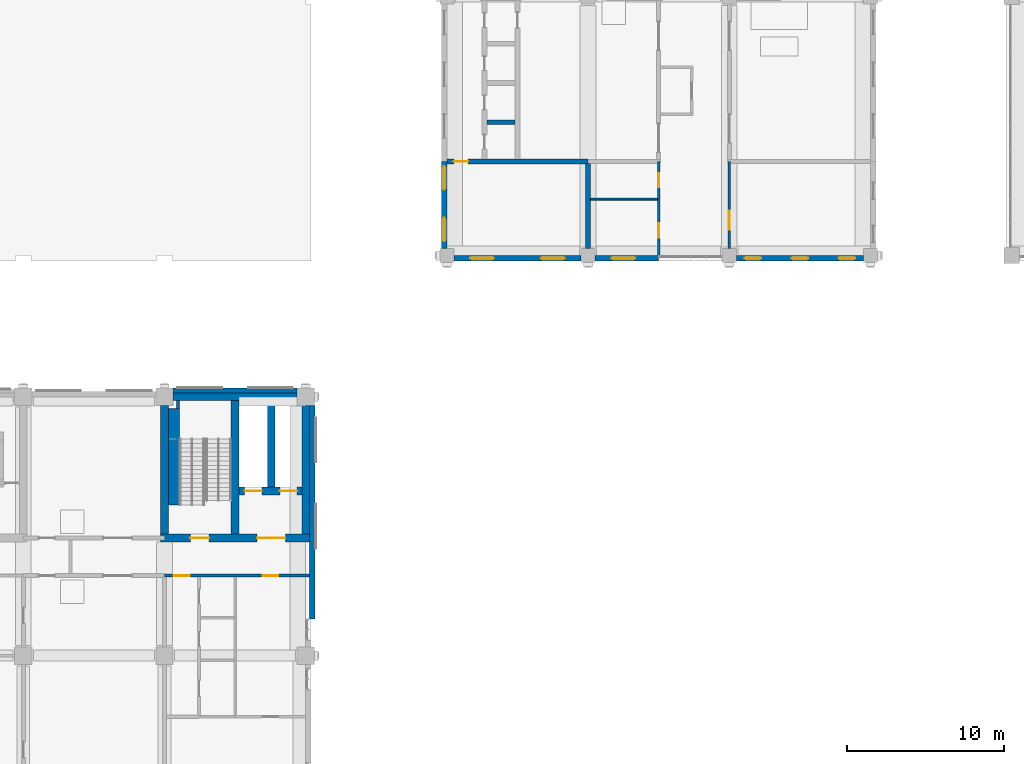
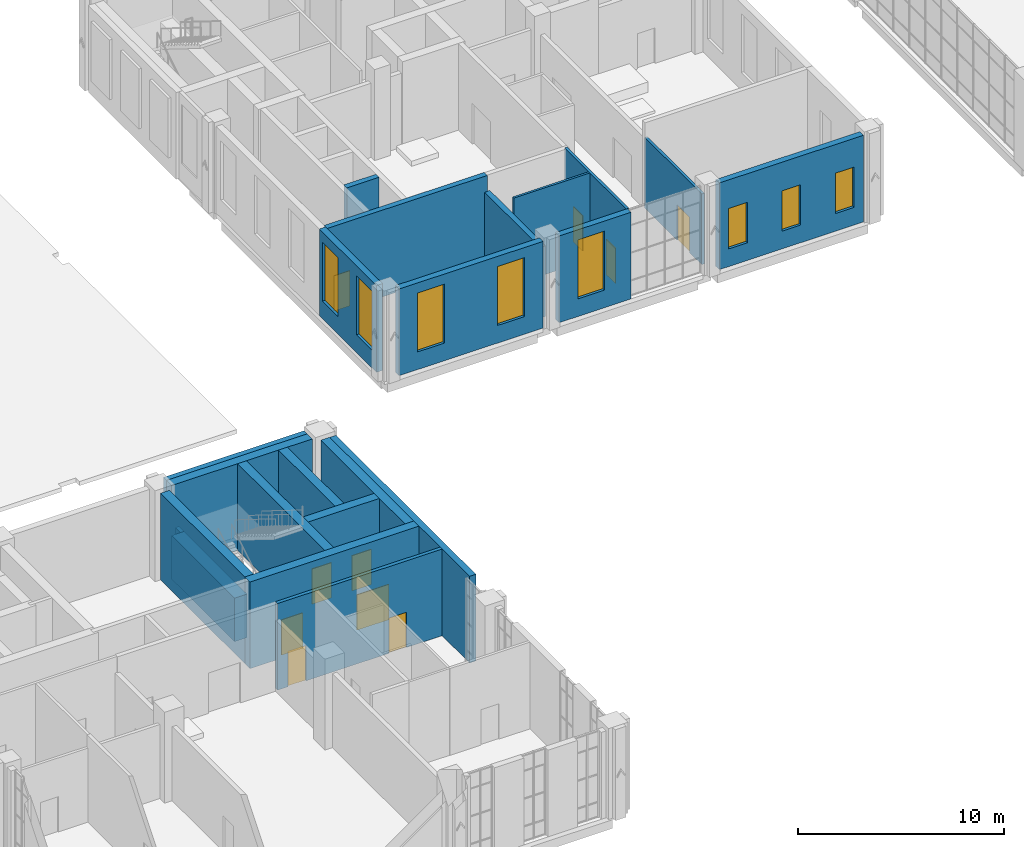
# One storey, part 20 of 33: 22 walls, 10 doors, 8 windows, 18 openings.
"""IFC4 building model written with IfcOpenShell, lengths in metres."""

from ifc_helpers import new_model, si_unit, direction, frame, frame_2d, origin, place, context, subcontext, project, spatial, rectangle, extrude, material, layer, layer_set, type_object, element, fill, save


model = new_model("IFC4")

# Units and contexts
model_context = context("Model", 3, precision=1e-05, world=origin(), true_north=direction((0.0, 1.0)))
body_context = subcontext(model_context, "Body", "Model", "MODEL_VIEW")
ifc_project = project(units=[si_unit("LENGTHUNIT", "METRE"), si_unit("AREAUNIT", "SQUARE_METRE"), si_unit("VOLUMEUNIT", "CUBIC_METRE"), si_unit("PLANEANGLEUNIT", "RADIAN"), si_unit("MASSUNIT", "GRAM", prefix="KILO")], contexts=[model_context])

# Site, building, storey
site_placement = place(None, origin())
site = spatial("IfcSite", under=ifc_project, at=site_placement, CompositionType="ELEMENT")
building_placement = place(site_placement, origin())
building = spatial("IfcBuilding", under=site, at=building_placement, Name="Aurelan Courthouse", CompositionType="ELEMENT")
storey_placement = place(building_placement, frame((0.0, 0.0, 22.800048828125)))
storey = spatial("IfcBuildingStorey", under=building, at=storey_placement, Name="L04", CompositionType="ELEMENT", Elevation=22.800048828125)

# Wall, openings, doors
ifc_material_1 = material(Name="Gypsum board on metal studs")
ifc_layer_1 = layer(ifc_material_1, 0.14990234375)
ifc_layer_set_1 = layer_set([ifc_layer_1], Name="Gypsum board on metal studs")
wall_type_1 = type_object("IfcWallType", Name="Corridor partition 150 EI 60", PredefinedType="PARTITIONING", material=ifc_layer_set_1)
wall_1_placement = place(storey_placement, frame((49.5, 37.5, 0.0), z_axis=(0.0, 0.0, 1.0), x_axis=(0.0, 1.0, 0.0)))
wall_1 = element("IfcWall", 1, at=wall_1_placement, inside=storey, type_object=wall_type_1, Name="Corridor partition L04-055", PredefinedType="PARTITIONING", context=body_context, shape_type="SweptSolid", body=[
    extrude(rectangle(XDim=6.0, YDim=0.14990234375, at=frame_2d((3.0, 0.0))), origin(), (0.0, 0.0, 1.0), 5.14990234375),
])
opening_1_placement = place(wall_1_placement, frame((1.14990234375, 0.0, 0.0)))
opening_1 = element("IfcOpeningElement", 2, at=opening_1_placement, cuts=wall_1, Name="Opening D-L04-022", PredefinedType="OPENING", context=body_context, shape_type="SweptSolid", body=[
    extrude(rectangle(XDim=0.89990234375, YDim=2.10009765625, at=frame_2d((0.449951171875, 1.050048828125))), frame((0.0, 0.0849609375, 0.0), z_axis=(0.0, -1.0, 0.0), x_axis=(1.0, 0.0, 0.0)), (0.0, 0.0, 1.0), 0.169921875),
])
opening_2_placement = place(wall_1_placement, frame((4.35009765625, 0.0, 0.0)))
opening_2 = element("IfcOpeningElement", 3, at=opening_2_placement, cuts=wall_1, Name="Opening D-L04-023", PredefinedType="OPENING", context=body_context, shape_type="SweptSolid", body=[
    extrude(rectangle(XDim=0.89990234375, YDim=2.10009765625, at=frame_2d((0.449951171875, 1.050048828125))), frame((0.0, 0.0849609375, 0.0), z_axis=(0.0, -1.0, 0.0), x_axis=(1.0, 0.0, 0.0)), (0.0, 0.0, 1.0), 0.169921875),
])
ifc_material_2 = material(Name="Steel", Category="steel")
door_type_1 = type_object("IfcDoorType", Name="Single door 900 x 2100 FD60", OperationType="SINGLE_SWING_LEFT", PredefinedType="DOOR", material=ifc_material_2)
door_1_placement = place(opening_1_placement, origin())
door_1 = element("IfcDoor", 4, at=door_1_placement, inside=storey, type_object=door_type_1, Name="Single door D-L04-022", OperationType="SINGLE_SWING_LEFT", OverallHeight=2.10009765625, OverallWidth=0.89990234375, PredefinedType="DOOR", context=body_context, shape_type="SweptSolid", body=[
    extrude(rectangle(XDim=0.89990234375, YDim=2.10009765625, at=frame_2d((0.449951171875, 1.050048828125))), frame((0.0, 0.02490234375, 0.0), z_axis=(0.0, -1.0, 0.0), x_axis=(1.0, 0.0, 0.0)), (0.0, 0.0, 1.0), 0.050048828125),
])
fill(opening_1, door_1)
door_2_placement = place(opening_2_placement, origin())
door_2 = element("IfcDoor", 5, at=door_2_placement, inside=storey, type_object=door_type_1, Name="Single door D-L04-023", OperationType="SINGLE_SWING_RIGHT", OverallHeight=2.10009765625, OverallWidth=0.89990234375, PredefinedType="DOOR", context=body_context, shape_type="SweptSolid", body=[
    extrude(rectangle(XDim=0.89990234375, YDim=2.10009765625, at=frame_2d((0.449951171875, 1.050048828125))), frame((0.0, 0.02490234375, 0.0), z_axis=(0.0, -1.0, 0.0), x_axis=(1.0, 0.0, 0.0)), (0.0, 0.0, 1.0), 0.050048828125),
])
fill(opening_2, door_2)

# Wall, opening, door
wall_2_placement = place(storey_placement, frame((54.0, 37.949951171875, 0.0), z_axis=(0.0, 0.0, 1.0), x_axis=(0.0, 1.0, 0.0)))
wall_2 = element("IfcWall", 6, at=wall_2_placement, inside=storey, type_object=wall_type_1, Name="Corridor partition L04-058", PredefinedType="PARTITIONING", context=body_context, shape_type="SweptSolid", body=[
    extrude(rectangle(XDim=5.550048828125, YDim=0.14990234375, at=frame_2d((2.77490234375, 0.0))), origin(), (0.0, 0.0, 1.0), 4.199951171875),
])
opening_3_placement = place(wall_2_placement, frame((2.39990234375, 0.0, 0.0), z_axis=(0.0, 0.0, 1.0), x_axis=(-1.0, 0.0, 0.0)))
opening_3 = element("IfcOpeningElement", 7, at=opening_3_placement, cuts=wall_2, Name="Opening D-L04-024", PredefinedType="OPENING", context=body_context, shape_type="SweptSolid", body=[
    extrude(rectangle(XDim=1.199951171875, YDim=2.10009765625, at=frame_2d((0.60009765625, 1.050048828125))), frame((0.0, 0.0849609375, 0.0), z_axis=(0.0, -1.0, 0.0), x_axis=(1.0, 0.0, 0.0)), (0.0, 0.0, 1.0), 0.169921875),
])
door_type_2 = type_object("IfcDoorType", Name="Single door 1200 x 2100 FD60", OperationType="SINGLE_SWING_LEFT", PredefinedType="DOOR", material=ifc_material_2)
door_3_placement = place(opening_3_placement, origin())
door_3 = element("IfcDoor", 8, at=door_3_placement, inside=storey, type_object=door_type_2, Name="Single door D-L04-024", OperationType="SINGLE_SWING_RIGHT", OverallHeight=2.10009765625, OverallWidth=1.199951171875, PredefinedType="DOOR", context=body_context, shape_type="SweptSolid", body=[
    extrude(rectangle(XDim=1.199951171875, YDim=2.10009765625, at=frame_2d((0.60009765625, 1.050048828125))), frame((0.0, 0.02490234375, 0.0), z_axis=(0.0, -1.0, 0.0), x_axis=(1.0, 0.0, 0.0)), (0.0, 0.0, 1.0), 0.050048828125),
])
fill(opening_3, door_3)

# Wall, openings, windows
ifc_material_3 = material(Name="Limestone cladding", Category="masonry")
ifc_layer_2 = layer(ifc_material_3, 0.10009765625, Name="Facing")
ifc_material_4 = material(Name="Ventilated cavity")
ifc_layer_3 = layer(ifc_material_4, 0.02490234375, ventilated=True, Name="Ventilated cavity")
ifc_material_5 = material(Name="Mineral wool insulation")
ifc_layer_4 = layer(ifc_material_5, 0.050048828125, Name="Insulation")
ifc_material_6 = material(Name="Concrete C30", Category="concrete")
ifc_layer_5 = layer(ifc_material_6, 0.175048828125, Name="Structure")
ifc_layer_set_2 = layer_set([ifc_layer_2, ifc_layer_3, ifc_layer_4, ifc_layer_5], Name="Concrete C30")
wall_type_2 = type_object("IfcWallType", Name="Courtroom Block stone-faced wall 350", PredefinedType="SOLIDWALL", material=ifc_layer_set_2)
wall_3_placement = place(storey_placement, frame((36.449951171875, 37.324951171875, 0.0), z_axis=(0.0, 0.0, 1.0), x_axis=(1.0, 0.0, 0.0)))
wall_3 = element("IfcWall", 9, at=wall_3_placement, inside=storey, type_object=wall_type_2, Name="Facade wall FW-V2-L04-001", PredefinedType="SOLIDWALL", context=body_context, shape_type="SweptSolid", body=[
    extrude(rectangle(XDim=8.10009765625, YDim=0.35009765625, at=frame_2d((4.050048828125, 0.0))), origin(), (0.0, 0.0, 1.0), 5.14990234375),
])
opening_4_placement = place(wall_3_placement, frame((1.050048828125, 0.0, 1.050048828125)))
opening_4 = element("IfcOpeningElement", 10, at=opening_4_placement, cuts=wall_3, Name="Opening WN-V2-L04-001", PredefinedType="OPENING", context=body_context, shape_type="SweptSolid", body=[
    extrude(rectangle(XDim=1.5, YDim=3.5, at=frame_2d((0.75, 1.75))), frame((0.0, 0.18505859375, 0.0), z_axis=(0.0, -1.0, 0.0), x_axis=(1.0, 0.0, 0.0)), (0.0, 0.0, 1.0), 0.3701171875),
])
opening_5_placement = place(wall_3_placement, frame((5.550048828125, 0.0, 1.050048828125)))
opening_5 = element("IfcOpeningElement", 11, at=opening_5_placement, cuts=wall_3, Name="Opening WN-V2-L04-002", PredefinedType="OPENING", context=body_context, shape_type="SweptSolid", body=[
    extrude(rectangle(XDim=1.5, YDim=3.5, at=frame_2d((0.75, 1.75))), frame((0.0, 0.18505859375, 0.0), z_axis=(0.0, -1.0, 0.0), x_axis=(1.0, 0.0, 0.0)), (0.0, 0.0, 1.0), 0.3701171875),
])
ifc_material_7 = material(Name="Bronze-finished aluminium and glass", Category="aluminium")
window_type_1 = type_object("IfcWindowType", Name="Courtroom Block glazed slot 1500 x 3500, sill 1050", PartitioningType="SINGLE_PANEL", PredefinedType="WINDOW", material=ifc_material_7)
window_1_placement = place(opening_4_placement, origin())
window_1 = element("IfcWindow", 12, at=window_1_placement, inside=storey, type_object=window_type_1, Name="Glazed slot WN-V2-L04-001", OverallHeight=3.5, OverallWidth=1.5, PartitioningType="SINGLE_PANEL", PredefinedType="WINDOW", context=body_context, shape_type="SweptSolid", body=[
    extrude(rectangle(XDim=1.5, YDim=3.5, at=frame_2d((0.75, 1.75))), frame((0.0, 0.030029296875, 0.0), z_axis=(0.0, -1.0, 0.0), x_axis=(1.0, 0.0, 0.0)), (0.0, 0.0, 1.0), 0.06005859375),
])
fill(opening_4, window_1)
window_2_placement = place(opening_5_placement, origin())
window_2 = element("IfcWindow", 13, at=window_2_placement, inside=storey, type_object=window_type_1, Name="Glazed slot WN-V2-L04-002", OverallHeight=3.5, OverallWidth=1.5, PartitioningType="SINGLE_PANEL", PredefinedType="WINDOW", context=body_context, shape_type="SweptSolid", body=[
    extrude(rectangle(XDim=1.5, YDim=3.5, at=frame_2d((0.75, 1.75))), frame((0.0, 0.030029296875, 0.0), z_axis=(0.0, -1.0, 0.0), x_axis=(1.0, 0.0, 0.0)), (0.0, 0.0, 1.0), 0.06005859375),
])
fill(opening_5, window_2)

# Wall, opening, window
wall_4_placement = place(storey_placement, frame((45.449951171875, 37.324951171875, 0.0), z_axis=(0.0, 0.0, 1.0), x_axis=(1.0, 0.0, 0.0)))
wall_4 = element("IfcWall", 14, at=wall_4_placement, inside=storey, type_object=wall_type_2, Name="Facade wall FW-V2-L04-002", PredefinedType="SOLIDWALL", context=body_context, shape_type="SweptSolid", body=[
    extrude(rectangle(XDim=4.050048828125, YDim=0.35009765625, at=frame_2d((2.02490234375, 0.0))), origin(), (0.0, 0.0, 1.0), 5.14990234375),
])
opening_6_placement = place(wall_4_placement, frame((1.050048828125, 0.0, 1.050048828125)))
opening_6 = element("IfcOpeningElement", 15, at=opening_6_placement, cuts=wall_4, Name="Opening WN-V2-L04-003", PredefinedType="OPENING", context=body_context, shape_type="SweptSolid", body=[
    extrude(rectangle(XDim=1.5, YDim=3.5, at=frame_2d((0.75, 1.75))), frame((0.0, 0.18505859375, 0.0), z_axis=(0.0, -1.0, 0.0), x_axis=(1.0, 0.0, 0.0)), (0.0, 0.0, 1.0), 0.3701171875),
])
window_3_placement = place(opening_6_placement, origin())
window_3 = element("IfcWindow", 16, at=window_3_placement, inside=storey, type_object=window_type_1, Name="Glazed slot WN-V2-L04-003", OverallHeight=3.5, OverallWidth=1.5, PartitioningType="SINGLE_PANEL", PredefinedType="WINDOW", context=body_context, shape_type="SweptSolid", body=[
    extrude(rectangle(XDim=1.5, YDim=3.5, at=frame_2d((0.75, 1.75))), frame((0.0, 0.030029296875, 0.0), z_axis=(0.0, -1.0, 0.0), x_axis=(1.0, 0.0, 0.0)), (0.0, 0.0, 1.0), 0.06005859375),
])
fill(opening_6, window_3)

# Wall, openings, windows
wall_5_placement = place(storey_placement, frame((54.449951171875, 37.324951171875, 0.0), z_axis=(0.0, 0.0, 1.0), x_axis=(1.0, 0.0, 0.0)))
wall_5 = element("IfcWall", 17, at=wall_5_placement, inside=storey, type_object=wall_type_2, Name="Facade wall FW-V2-L04-003", PredefinedType="SOLIDWALL", context=body_context, shape_type="SweptSolid", body=[
    extrude(rectangle(XDim=8.10009765625, YDim=0.35009765625, at=frame_2d((4.050048828125, 0.0))), origin(), (0.0, 0.0, 1.0), 5.14990234375),
])
opening_7_placement = place(wall_5_placement, frame((0.52490234375, 0.0, 1.050048828125)))
opening_7 = element("IfcOpeningElement", 18, at=opening_7_placement, cuts=wall_5, Name="Opening WN-V2-L04-004", PredefinedType="OPENING", context=body_context, shape_type="SweptSolid", body=[
    extrude(rectangle(XDim=1.050048828125, YDim=2.39990234375, at=frame_2d((0.52490234375, 1.199951171875))), frame((0.0, 0.18505859375, 0.0), z_axis=(0.0, -1.0, 0.0), x_axis=(1.0, 0.0, 0.0)), (0.0, 0.0, 1.0), 0.3701171875),
])
opening_8_placement = place(wall_5_placement, frame((3.52490234375, 0.0, 1.050048828125)))
opening_8 = element("IfcOpeningElement", 19, at=opening_8_placement, cuts=wall_5, Name="Opening WN-V2-L04-005", PredefinedType="OPENING", context=body_context, shape_type="SweptSolid", body=[
    extrude(rectangle(XDim=1.050048828125, YDim=2.39990234375, at=frame_2d((0.52490234375, 1.199951171875))), frame((0.0, 0.18505859375, 0.0), z_axis=(0.0, -1.0, 0.0), x_axis=(1.0, 0.0, 0.0)), (0.0, 0.0, 1.0), 0.3701171875),
])
opening_9_placement = place(wall_5_placement, frame((6.52490234375, 0.0, 1.050048828125)))
opening_9 = element("IfcOpeningElement", 20, at=opening_9_placement, cuts=wall_5, Name="Opening WN-V2-L04-006", PredefinedType="OPENING", context=body_context, shape_type="SweptSolid", body=[
    extrude(rectangle(XDim=1.050048828125, YDim=2.39990234375, at=frame_2d((0.52490234375, 1.199951171875))), frame((0.0, 0.18505859375, 0.0), z_axis=(0.0, -1.0, 0.0), x_axis=(1.0, 0.0, 0.0)), (0.0, 0.0, 1.0), 0.3701171875),
])
window_type_2 = type_object("IfcWindowType", Name="Courtroom Block window 1050 x 2400, sill 1050", PartitioningType="SINGLE_PANEL", PredefinedType="WINDOW", material=ifc_material_7)
window_4_placement = place(opening_7_placement, origin())
window_4 = element("IfcWindow", 21, at=window_4_placement, inside=storey, type_object=window_type_2, Name="Window WN-V2-L04-004", OverallHeight=2.39990234375, OverallWidth=1.050048828125, PartitioningType="SINGLE_PANEL", PredefinedType="WINDOW", context=body_context, shape_type="SweptSolid", body=[
    extrude(rectangle(XDim=1.050048828125, YDim=2.39990234375, at=frame_2d((0.52490234375, 1.199951171875))), frame((0.0, 0.030029296875, 0.0), z_axis=(0.0, -1.0, 0.0), x_axis=(1.0, 0.0, 0.0)), (0.0, 0.0, 1.0), 0.06005859375),
])
fill(opening_7, window_4)
window_5_placement = place(opening_8_placement, origin())
window_5 = element("IfcWindow", 22, at=window_5_placement, inside=storey, type_object=window_type_2, Name="Window WN-V2-L04-005", OverallHeight=2.39990234375, OverallWidth=1.050048828125, PartitioningType="SINGLE_PANEL", PredefinedType="WINDOW", context=body_context, shape_type="SweptSolid", body=[
    extrude(rectangle(XDim=1.050048828125, YDim=2.39990234375, at=frame_2d((0.52490234375, 1.199951171875))), frame((0.0, 0.030029296875, 0.0), z_axis=(0.0, -1.0, 0.0), x_axis=(1.0, 0.0, 0.0)), (0.0, 0.0, 1.0), 0.06005859375),
])
fill(opening_8, window_5)
window_6_placement = place(opening_9_placement, origin())
window_6 = element("IfcWindow", 23, at=window_6_placement, inside=storey, type_object=window_type_2, Name="Window WN-V2-L04-006", OverallHeight=2.39990234375, OverallWidth=1.050048828125, PartitioningType="SINGLE_PANEL", PredefinedType="WINDOW", context=body_context, shape_type="SweptSolid", body=[
    extrude(rectangle(XDim=1.050048828125, YDim=2.39990234375, at=frame_2d((0.52490234375, 1.199951171875))), frame((0.0, 0.030029296875, 0.0), z_axis=(0.0, -1.0, 0.0), x_axis=(1.0, 0.0, 0.0)), (0.0, 0.0, 1.0), 0.06005859375),
])
fill(opening_9, window_6)

wall_6_placement = place(storey_placement, frame((35.824951171875, 37.949951171875, 0.0), z_axis=(0.0, 0.0, 1.0), x_axis=(0.0, 1.0, 0.0)))
wall_6 = element("IfcWall", 24, at=wall_6_placement, inside=storey, type_object=wall_type_2, Name="Facade wall FW-V2-L04-011", PredefinedType="SOLIDWALL", context=body_context, shape_type="SweptSolid", body=[
    extrude(rectangle(XDim=5.550048828125, YDim=0.35009765625, at=frame_2d((2.77490234375, 0.0))), origin(), (0.0, 0.0, 1.0), 5.14990234375),
])
opening_10_placement = place(wall_6_placement, frame((0.449951171875, 0.0, 1.050048828125)))
opening_10 = element("IfcOpeningElement", 25, at=opening_10_placement, cuts=wall_6, Name="Opening WN-V2-L04-015", PredefinedType="OPENING", context=body_context, shape_type="SweptSolid", body=[
    extrude(rectangle(XDim=1.5, YDim=3.5, at=frame_2d((0.75, 1.75))), frame((0.0, 0.18505859375, 0.0), z_axis=(0.0, -1.0, 0.0), x_axis=(1.0, 0.0, 0.0)), (0.0, 0.0, 1.0), 0.3701171875),
])
opening_11_placement = place(wall_6_placement, frame((3.75, 0.0, 1.050048828125)))
opening_11 = element("IfcOpeningElement", 26, at=opening_11_placement, cuts=wall_6, Name="Opening WN-V2-L04-016", PredefinedType="OPENING", context=body_context, shape_type="SweptSolid", body=[
    extrude(rectangle(XDim=1.5, YDim=3.5, at=frame_2d((0.75, 1.75))), frame((0.0, 0.18505859375, 0.0), z_axis=(0.0, -1.0, 0.0), x_axis=(1.0, 0.0, 0.0)), (0.0, 0.0, 1.0), 0.3701171875),
])
window_7_placement = place(opening_10_placement, origin())
window_7 = element("IfcWindow", 27, at=window_7_placement, inside=storey, type_object=window_type_1, Name="Glazed slot WN-V2-L04-015", OverallHeight=3.5, OverallWidth=1.5, PartitioningType="SINGLE_PANEL", PredefinedType="WINDOW", context=body_context, shape_type="SweptSolid", body=[
    extrude(rectangle(XDim=1.5, YDim=3.5, at=frame_2d((0.75, 1.75))), frame((0.0, 0.030029296875, 0.0), z_axis=(0.0, -1.0, 0.0), x_axis=(1.0, 0.0, 0.0)), (0.0, 0.0, 1.0), 0.06005859375),
])
fill(opening_10, window_7)
window_8_placement = place(opening_11_placement, origin())
window_8 = element("IfcWindow", 28, at=window_8_placement, inside=storey, type_object=window_type_1, Name="Glazed slot WN-V2-L04-016", OverallHeight=3.5, OverallWidth=1.5, PartitioningType="SINGLE_PANEL", PredefinedType="WINDOW", context=body_context, shape_type="SweptSolid", body=[
    extrude(rectangle(XDim=1.5, YDim=3.5, at=frame_2d((0.75, 1.75))), frame((0.0, 0.030029296875, 0.0), z_axis=(0.0, -1.0, 0.0), x_axis=(1.0, 0.0, 0.0)), (0.0, 0.0, 1.0), 0.06005859375),
])
fill(opening_11, window_8)

# Walls
ifc_layer_6 = layer(ifc_material_3, 0.0849609375, Name="Facing")
ifc_layer_7 = layer(ifc_material_4, 0.02490234375, ventilated=True, Name="Ventilated cavity")
ifc_layer_8 = layer(ifc_material_5, 0.044921875, Name="Insulation")
ifc_layer_9 = layer(ifc_material_6, 0.14501953125, Name="Structure")
ifc_layer_set_3 = layer_set([ifc_layer_6, ifc_layer_7, ifc_layer_8, ifc_layer_9], Name="Concrete C30")
wall_type_3 = type_object("IfcWallType", Name="Courts' Floors stone-faced wall 300", PredefinedType="SOLIDWALL", material=ifc_layer_set_3)
wall_7_placement = place(storey_placement, frame((18.550048828125, 28.89990234375, 0.0), z_axis=(0.0, 0.0, 1.0), x_axis=(1.0, 0.0, 0.0)))
element("IfcWall", 29, at=wall_7_placement, inside=storey, type_object=wall_type_3, Name="Facade wall FW-V5-L04-011", PredefinedType="SOLIDWALL", context=body_context, shape_type="SweptSolid", body=[
    extrude(rectangle(XDim=7.89990234375, YDim=0.300048828125, at=frame_2d((3.949951171875, 0.0))), origin(), (0.0, 0.0, 1.0), 5.14990234375),
])
ifc_layer_10 = layer(ifc_material_3, 0.10009765625, Name="Facing")
ifc_layer_11 = layer(ifc_material_4, 0.02490234375, ventilated=True, Name="Ventilated cavity")
ifc_layer_12 = layer(ifc_material_5, 0.050048828125, Name="Insulation")
ifc_layer_13 = layer(ifc_material_6, 0.175048828125, Name="Structure")
ifc_layer_set_4 = layer_set([ifc_layer_10, ifc_layer_11, ifc_layer_12, ifc_layer_13], Name="Concrete C30")
wall_type_4 = type_object("IfcWallType", Name="Courts' Floors stone-faced wall 350", PredefinedType="SOLIDWALL", material=ifc_layer_set_4)
wall_8_placement = place(storey_placement, frame((27.425048828125, 14.324951171875, 0.0), z_axis=(0.0, 0.0, 1.0), x_axis=(0.0, 1.0, 0.0)))
element("IfcWall", 30, at=wall_8_placement, inside=storey, type_object=wall_type_4, Name="Facade wall FW-V5-L04-017", PredefinedType="SOLIDWALL", context=body_context, shape_type="SweptSolid", body=[
    extrude(rectangle(XDim=13.625, YDim=0.35009765625, at=frame_2d((6.8125, 0.0))), origin(), (0.0, 0.0, 1.0), 5.14990234375),
])

# Wall, opening, door
ifc_layer_14 = layer(ifc_material_6, 0.300048828125)
ifc_layer_set_5 = layer_set([ifc_layer_14], Name="Concrete C30")
wall_type_5 = type_object("IfcWallType", Name="Custody wall 300 EI 120", PredefinedType="PARTITIONING", material=ifc_layer_set_5)
wall_9_placement = place(storey_placement, frame((36.0, 43.5, 0.0), z_axis=(0.0, 0.0, 1.0), x_axis=(1.0, 0.0, 0.0)))
wall_9 = element("IfcWall", 31, at=wall_9_placement, inside=storey, type_object=wall_type_5, Name="Custody wall L04-014", PredefinedType="PARTITIONING", context=body_context, shape_type="SweptSolid", body=[
    extrude(rectangle(XDim=9.0, YDim=0.300048828125, at=frame_2d((4.5, 0.0))), origin(), (0.0, 0.0, 1.0), 5.14990234375),
])
opening_12_placement = place(wall_9_placement, frame((1.349853515625, 0.0, 0.0), z_axis=(0.0, 0.0, 1.0), x_axis=(-1.0, 0.0, 0.0)))
opening_12 = element("IfcOpeningElement", 32, at=opening_12_placement, cuts=wall_9, Name="Opening D-L04-016", PredefinedType="OPENING", context=body_context, shape_type="SweptSolid", body=[
    extrude(rectangle(XDim=0.89990234375, YDim=2.10009765625, at=frame_2d((0.449951171875, 1.050048828125))), frame((0.0, 0.159912109375, 0.0), z_axis=(0.0, -1.0, 0.0), x_axis=(1.0, 0.0, 0.0)), (0.0, 0.0, 1.0), 0.320068359375),
])
door_type_3 = type_object("IfcDoorType", Name="Single door 900 x 2100 FD90", OperationType="SINGLE_SWING_LEFT", PredefinedType="DOOR", material=ifc_material_2)
door_4_placement = place(opening_12_placement, origin())
door_4 = element("IfcDoor", 33, at=door_4_placement, inside=storey, type_object=door_type_3, Name="Single door D-L04-016", OperationType="SINGLE_SWING_RIGHT", OverallHeight=2.10009765625, OverallWidth=0.89990234375, PredefinedType="DOOR", context=body_context, shape_type="SweptSolid", body=[
    extrude(rectangle(XDim=0.89990234375, YDim=2.10009765625, at=frame_2d((0.449951171875, 1.050048828125))), frame((0.0, 0.02490234375, 0.0), z_axis=(0.0, -1.0, 0.0), x_axis=(1.0, 0.0, 0.0)), (0.0, 0.0, 1.0), 0.050048828125),
])
fill(opening_12, door_4)

# Walls
wall_10_placement = place(storey_placement, frame((38.550048828125, 46.0, 0.0), z_axis=(0.0, 0.0, 1.0), x_axis=(1.0, 0.0, 0.0)))
element("IfcWall", 34, at=wall_10_placement, inside=storey, type_object=wall_type_5, Name="Custody wall L04-017", PredefinedType="PARTITIONING", context=body_context, shape_type="SweptSolid", body=[
    extrude(rectangle(XDim=1.800048828125, YDim=0.300048828125, at=frame_2d((0.89990234375, 0.0))), origin(), (0.0, 0.0, 1.0), 5.14990234375),
])
wall_11_placement = place(storey_placement, frame((45.0, 37.949951171875, 0.0), z_axis=(0.0, 0.0, 1.0), x_axis=(0.0, 1.0, 0.0)))
element("IfcWall", 35, at=wall_11_placement, inside=storey, type_object=wall_type_5, Name="Custody wall L04-053", PredefinedType="PARTITIONING", context=body_context, shape_type="SweptSolid", body=[
    extrude(rectangle(XDim=5.425048828125, YDim=0.300048828125, at=frame_2d((2.71240234375, 0.0))), origin(), (0.0, 0.0, 1.0), 4.199951171875),
])

# Wall, openings, doors
ifc_material_8 = material(Name="Masonry block", Category="masonry")
ifc_layer_15 = layer(ifc_material_8, 0.199951171875)
ifc_layer_set_6 = layer_set([ifc_layer_15], Name="Masonry block")
wall_type_6 = type_object("IfcWallType", Name="Lift lobby wall 200 EI 60", PredefinedType="PARTITIONING", material=ifc_layer_set_6)
wall_12_placement = place(storey_placement, frame((18.0, 17.10009765625, 0.0), z_axis=(0.0, 0.0, 1.0), x_axis=(1.0, 0.0, 0.0)))
wall_12 = element("IfcWall", 36, at=wall_12_placement, inside=storey, type_object=wall_type_6, Name="Lift lobby wall L04-010", PredefinedType="PARTITIONING", context=body_context, shape_type="SweptSolid", body=[
    extrude(rectangle(XDim=9.25, YDim=0.199951171875, at=frame_2d((4.625, 0.0))), origin(), (0.0, 0.0, 1.0), 5.14990234375),
])
opening_13_placement = place(wall_12_placement, frame((7.25, 0.0, 0.0), z_axis=(0.0, 0.0, 1.0), x_axis=(-1.0, 0.0, 0.0)))
opening_13 = element("IfcOpeningElement", 37, at=opening_13_placement, cuts=wall_12, Name="Opening D-L04-067", PredefinedType="OPENING", context=body_context, shape_type="SweptSolid", body=[
    extrude(rectangle(XDim=1.0, YDim=2.10009765625, at=frame_2d((0.5, 1.050048828125))), frame((0.0, 0.10986328125, 0.0), z_axis=(0.0, -1.0, 0.0), x_axis=(1.0, 0.0, 0.0)), (0.0, 0.0, 1.0), 0.219970703125),
])
opening_14_placement = place(wall_12_placement, frame((0.60009765625, 0.0, 0.0)))
opening_14 = element("IfcOpeningElement", 38, at=opening_14_placement, cuts=wall_12, Name="Opening D-L04-068", PredefinedType="OPENING", context=body_context, shape_type="SweptSolid", body=[
    extrude(rectangle(XDim=1.0, YDim=2.10009765625, at=frame_2d((0.5, 1.050048828125))), frame((0.0, 0.10986328125, 0.0), z_axis=(0.0, -1.0, 0.0), x_axis=(1.0, 0.0, 0.0)), (0.0, 0.0, 1.0), 0.219970703125),
])
door_type_4 = type_object("IfcDoorType", Name="Single door 1000 x 2100 FD60", OperationType="SINGLE_SWING_LEFT", PredefinedType="DOOR", material=ifc_material_2)
door_5_placement = place(opening_13_placement, origin())
door_5 = element("IfcDoor", 39, at=door_5_placement, inside=storey, type_object=door_type_4, Name="Single door D-L04-067", OperationType="SINGLE_SWING_RIGHT", OverallHeight=2.10009765625, OverallWidth=1.0, PredefinedType="DOOR", context=body_context, shape_type="SweptSolid", body=[
    extrude(rectangle(XDim=1.0, YDim=2.10009765625, at=frame_2d((0.5, 1.050048828125))), frame((0.0, 0.02490234375, 0.0), z_axis=(0.0, -1.0, 0.0), x_axis=(1.0, 0.0, 0.0)), (0.0, 0.0, 1.0), 0.050048828125),
])
fill(opening_13, door_5)
door_6_placement = place(opening_14_placement, origin())
door_6 = element("IfcDoor", 40, at=door_6_placement, inside=storey, type_object=door_type_4, Name="Single door D-L04-068", OperationType="SINGLE_SWING_LEFT", OverallHeight=2.10009765625, OverallWidth=1.0, PredefinedType="DOOR", context=body_context, shape_type="SweptSolid", body=[
    extrude(rectangle(XDim=1.0, YDim=2.10009765625, at=frame_2d((0.5, 1.050048828125))), frame((0.0, 0.02490234375, 0.0), z_axis=(0.0, -1.0, 0.0), x_axis=(1.0, 0.0, 0.0)), (0.0, 0.0, 1.0), 0.050048828125),
])
fill(opening_14, door_6)

ifc_material_9 = material(Name="Concrete C50", Category="concrete")
ifc_layer_16 = layer(ifc_material_9, 0.5)
ifc_layer_set_7 = layer_set([ifc_layer_16], Name="Concrete C50")
wall_type_7 = type_object("IfcWallType", Name="RC shear wall 500", PredefinedType="SHEAR", material=ifc_layer_set_7)
wall_13_placement = place(storey_placement, frame((17.75, 19.5, 0.0), z_axis=(0.0, 0.0, 1.0), x_axis=(1.0, 0.0, 0.0)))
wall_13 = element("IfcWall", 41, at=wall_13_placement, inside=storey, type_object=wall_type_7, Name="Core wall SW-L04-002", PredefinedType="SHEAR", context=body_context, shape_type="SweptSolid", body=[
    extrude(rectangle(XDim=9.5, YDim=0.5, at=frame_2d((4.75, 0.0))), origin(), (0.0, 0.0, 1.0), 5.14990234375),
])
opening_15_placement = place(wall_13_placement, frame((1.89990234375, 0.0, 0.0)))
opening_15 = element("IfcOpeningElement", 42, at=opening_15_placement, cuts=wall_13, Name="Opening D-L04-053", PredefinedType="OPENING", context=body_context, shape_type="SweptSolid", body=[
    extrude(rectangle(XDim=1.199951171875, YDim=2.10009765625, at=frame_2d((0.60009765625, 1.050048828125))), frame((0.0, 0.260009765625, 0.0), z_axis=(0.0, -1.0, 0.0), x_axis=(1.0, 0.0, 0.0)), (0.0, 0.0, 1.0), 0.52001953125),
])
opening_16_placement = place(wall_13_placement, frame((7.949951171875, 0.0, 0.0), z_axis=(0.0, 0.0, 1.0), x_axis=(-1.0, 0.0, 0.0)))
opening_16 = element("IfcOpeningElement", 43, at=opening_16_placement, cuts=wall_13, Name="Opening D-L04-054", PredefinedType="OPENING", context=body_context, shape_type="SweptSolid", body=[
    extrude(rectangle(XDim=1.800048828125, YDim=2.10009765625, at=frame_2d((0.89990234375, 1.050048828125))), frame((0.0, 0.260009765625, 0.0), z_axis=(0.0, -1.0, 0.0), x_axis=(1.0, 0.0, 0.0)), (0.0, 0.0, 1.0), 0.52001953125),
])
door_type_5 = type_object("IfcDoorType", Name="Double door 1800 x 2100 FD90", OperationType="DOUBLE_DOOR_SINGLE_SWING", PredefinedType="DOOR", material=ifc_material_2)
door_7_placement = place(opening_16_placement, origin())
door_7 = element("IfcDoor", 44, at=door_7_placement, inside=storey, type_object=door_type_5, Name="Double door D-L04-054", OperationType="DOUBLE_DOOR_SINGLE_SWING", OverallHeight=2.10009765625, OverallWidth=1.800048828125, PredefinedType="DOOR", context=body_context, shape_type="SweptSolid", body=[
    extrude(rectangle(XDim=1.800048828125, YDim=2.10009765625, at=frame_2d((0.89990234375, 1.050048828125))), frame((0.0, 0.02490234375, 0.0), z_axis=(0.0, -1.0, 0.0), x_axis=(1.0, 0.0, 0.0)), (0.0, 0.0, 1.0), 0.050048828125),
])
fill(opening_16, door_7)
door_type_6 = type_object("IfcDoorType", Name="Single door 1200 x 2100 FD90", OperationType="SINGLE_SWING_LEFT", PredefinedType="DOOR", material=ifc_material_2)
door_8_placement = place(opening_15_placement, origin())
door_8 = element("IfcDoor", 45, at=door_8_placement, inside=storey, type_object=door_type_6, Name="Single door D-L04-053", OperationType="SINGLE_SWING_RIGHT", OverallHeight=2.10009765625, OverallWidth=1.199951171875, PredefinedType="DOOR", context=body_context, shape_type="SweptSolid", body=[
    extrude(rectangle(XDim=1.199951171875, YDim=2.10009765625, at=frame_2d((0.60009765625, 1.050048828125))), frame((0.0, 0.02490234375, 0.0), z_axis=(0.0, -1.0, 0.0), x_axis=(1.0, 0.0, 0.0)), (0.0, 0.0, 1.0), 0.050048828125),
])
fill(opening_15, door_8)

# Walls
wall_14_placement = place(storey_placement, frame((18.0, 19.75, 0.0), z_axis=(0.0, 0.0, 1.0), x_axis=(0.0, 1.0, 0.0)))
element("IfcWall", 46, at=wall_14_placement, inside=storey, type_object=wall_type_7, Name="Core wall SW-L04-006", PredefinedType="SHEAR", context=body_context, shape_type="SweptSolid", body=[
    extrude(rectangle(XDim=8.199951171875, YDim=0.5, at=frame_2d((4.10009765625, 0.0))), origin(), (0.0, 0.0, 1.0), 5.14990234375),
])
wall_15_placement = place(storey_placement, frame((22.5, 19.75, 0.0), z_axis=(0.0, 0.0, 1.0), x_axis=(0.0, 1.0, 0.0)))
element("IfcWall", 47, at=wall_15_placement, inside=storey, type_object=wall_type_7, Name="Core wall SW-L04-007", PredefinedType="SHEAR", context=body_context, shape_type="SweptSolid", body=[
    extrude(rectangle(XDim=8.5, YDim=0.5, at=frame_2d((4.25, 0.0))), origin(), (0.0, 0.0, 1.0), 5.14990234375),
])
wall_16_placement = place(storey_placement, frame((27.0, 19.75, 0.0), z_axis=(0.0, 0.0, 1.0), x_axis=(0.0, 1.0, 0.0)))
element("IfcWall", 48, at=wall_16_placement, inside=storey, type_object=wall_type_7, Name="Core wall SW-L04-008", PredefinedType="SHEAR", context=body_context, shape_type="SweptSolid", body=[
    extrude(rectangle(XDim=8.199951171875, YDim=0.5, at=frame_2d((4.10009765625, 0.0))), origin(), (0.0, 0.0, 1.0), 5.14990234375),
])

# Wall, openings, doors
wall_17_placement = place(storey_placement, frame((22.75, 22.5, 0.0), z_axis=(0.0, 0.0, 1.0), x_axis=(1.0, 0.0, 0.0)))
wall_17 = element("IfcWall", 49, at=wall_17_placement, inside=storey, type_object=wall_type_7, Name="Core wall SW-L04-009", PredefinedType="SHEAR", context=body_context, shape_type="SweptSolid", body=[
    extrude(rectangle(XDim=4.0, YDim=0.5, at=frame_2d((2.0, 0.0))), origin(), (0.0, 0.0, 1.0), 5.14990234375),
])
opening_17_placement = place(wall_17_placement, frame((0.35009765625, 0.0, 0.0)))
opening_17 = element("IfcOpeningElement", 50, at=opening_17_placement, cuts=wall_17, Name="Opening LD-V5-P1-L04", PredefinedType="OPENING", context=body_context, shape_type="SweptSolid", body=[
    extrude(rectangle(XDim=1.10009765625, YDim=2.10009765625, at=frame_2d((0.550048828125, 1.050048828125))), frame((0.0, 0.260009765625, 0.0), z_axis=(0.0, -1.0, 0.0), x_axis=(1.0, 0.0, 0.0)), (0.0, 0.0, 1.0), 0.52001953125),
])
opening_18_placement = place(wall_17_placement, frame((2.60009765625, 0.0, 0.0)))
opening_18 = element("IfcOpeningElement", 51, at=opening_18_placement, cuts=wall_17, Name="Opening LD-V5-P2-L04", PredefinedType="OPENING", context=body_context, shape_type="SweptSolid", body=[
    extrude(rectangle(XDim=1.10009765625, YDim=2.10009765625, at=frame_2d((0.550048828125, 1.050048828125))), frame((0.0, 0.260009765625, 0.0), z_axis=(0.0, -1.0, 0.0), x_axis=(1.0, 0.0, 0.0)), (0.0, 0.0, 1.0), 0.52001953125),
])
door_type_7 = type_object("IfcDoorType", Name="Lift landing door 1100 x 2100 FD90", OperationType="SLIDING_TO_LEFT", PredefinedType="DOOR", material=ifc_material_2)
door_9_placement = place(opening_17_placement, origin())
door_9 = element("IfcDoor", 52, at=door_9_placement, inside=storey, type_object=door_type_7, Name="Lift landing door LD-V5-P1-L04", OperationType="SLIDING_TO_LEFT", OverallHeight=2.10009765625, OverallWidth=1.10009765625, PredefinedType="DOOR", context=body_context, shape_type="SweptSolid", body=[
    extrude(rectangle(XDim=1.10009765625, YDim=2.10009765625, at=frame_2d((0.550048828125, 1.050048828125))), frame((0.0, 0.02490234375, 0.0), z_axis=(0.0, -1.0, 0.0), x_axis=(1.0, 0.0, 0.0)), (0.0, 0.0, 1.0), 0.050048828125),
])
fill(opening_17, door_9)
door_10_placement = place(opening_18_placement, origin())
door_10 = element("IfcDoor", 53, at=door_10_placement, inside=storey, type_object=door_type_7, Name="Lift landing door LD-V5-P2-L04", OperationType="SLIDING_TO_LEFT", OverallHeight=2.10009765625, OverallWidth=1.10009765625, PredefinedType="DOOR", context=body_context, shape_type="SweptSolid", body=[
    extrude(rectangle(XDim=1.10009765625, YDim=2.10009765625, at=frame_2d((0.550048828125, 1.050048828125))), frame((0.0, 0.02490234375, 0.0), z_axis=(0.0, -1.0, 0.0), x_axis=(1.0, 0.0, 0.0)), (0.0, 0.0, 1.0), 0.050048828125),
])
fill(opening_18, door_10)

# Walls
wall_18_placement = place(storey_placement, frame((24.800048828125, 22.75, 0.0), z_axis=(0.0, 0.0, 1.0), x_axis=(0.0, 1.0, 0.0)))
element("IfcWall", 54, at=wall_18_placement, inside=storey, type_object=wall_type_7, Name="Core wall SW-L04-010", PredefinedType="SHEAR", context=body_context, shape_type="SweptSolid", body=[
    extrude(rectangle(XDim=5.5, YDim=0.5, at=frame_2d((2.75, 0.0))), origin(), (0.0, 0.0, 1.0), 5.14990234375),
])
wall_19_placement = place(storey_placement, frame((18.550048828125, 28.5, 0.0), z_axis=(0.0, 0.0, 1.0), x_axis=(1.0, 0.0, 0.0)))
element("IfcWall", 55, at=wall_19_placement, inside=storey, type_object=wall_type_7, Name="Core wall SW-L04-015", PredefinedType="SHEAR", context=body_context, shape_type="SweptSolid", body=[
    extrude(rectangle(XDim=7.89990234375, YDim=0.5, at=frame_2d((3.949951171875, 0.0))), origin(), (0.0, 0.0, 1.0), 5.14990234375),
])
ifc_layer_17 = layer(ifc_material_6, 0.199951171875)
ifc_layer_set_8 = layer_set([ifc_layer_17], Name="Concrete C30")
wall_type_8 = type_object("IfcWallType", Name="Stair well wall 200 EI 120 load-bearing", PredefinedType="SHEAR", material=ifc_layer_set_8)
wall_20_placement = place(storey_placement, frame((18.85009765625, 27.75, 0.0), z_axis=(0.0, 0.0, 1.0), x_axis=(0.0, 1.0, 0.0)))
element("IfcWall", 56, at=wall_20_placement, inside=storey, type_object=wall_type_8, Name="Stair well wall ST-5A-L04 A2", PredefinedType="SHEAR", context=body_context, shape_type="SweptSolid", body=[
    extrude(rectangle(XDim=0.5, YDim=0.199951171875, at=frame_2d((0.25, 0.0))), origin(), (0.0, 0.0, 1.0), 2.587158203125),
])
ifc_layer_18 = layer(ifc_material_6, 0.699951171875)
ifc_layer_set_9 = layer_set([ifc_layer_18], Name="Concrete C30")
wall_type_9 = type_object("IfcWallType", Name="Stair well wall 700 EI 120 load-bearing", PredefinedType="SHEAR", material=ifc_layer_set_9)
wall_21_placement = place(storey_placement, frame((18.60009765625, 21.610107421875, 0.0), z_axis=(0.0, 0.0, 1.0), x_axis=(0.0, 1.0, 0.0)))
element("IfcWall", 57, at=wall_21_placement, inside=storey, type_object=wall_type_9, Name="Stair well wall ST-5A-L04 A", PredefinedType="SHEAR", context=body_context, shape_type="SweptSolid", body=[
    extrude(rectangle(XDim=6.139892578125, YDim=0.699951171875, at=frame_2d((3.06982421875, 0.0))), origin(), (0.0, 0.0, 1.0), 2.587158203125),
])
ifc_material_10 = material(Name="Moisture-resistant board on metal studs")
ifc_layer_19 = layer(ifc_material_10, 0.125)
ifc_layer_set_10 = layer_set([ifc_layer_19], Name="Moisture-resistant board on metal studs")
wall_type_10 = type_object("IfcWallType", Name="Wet-area partition 125 NOT RATED", PredefinedType="PARTITIONING", material=ifc_layer_set_10)
wall_22_placement = place(storey_placement, frame((45.14990234375, 41.10009765625, 0.0), z_axis=(0.0, 0.0, 1.0), x_axis=(1.0, 0.0, 0.0)))
element("IfcWall", 58, at=wall_22_placement, inside=storey, type_object=wall_type_10, Name="Wet-area partition L04-013", PredefinedType="PARTITIONING", context=body_context, shape_type="SweptSolid", body=[
    extrude(rectangle(XDim=4.275146484375, YDim=0.125, at=frame_2d((2.1376953125, 0.0))), origin(), (0.0, 0.0, 1.0), 5.14990234375),
])

save(model, "model.ifc")
